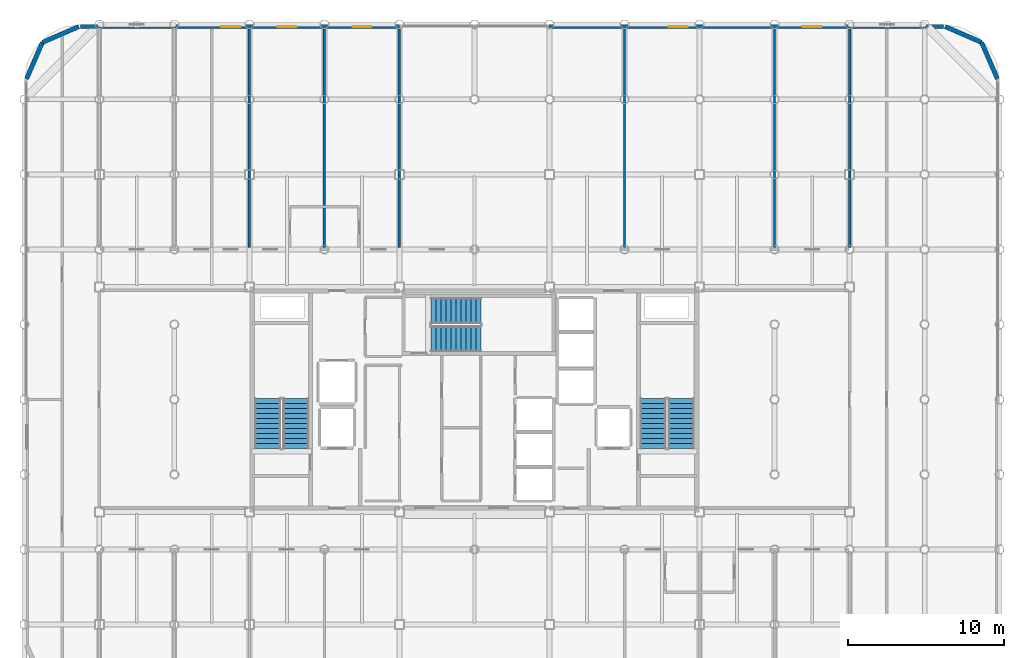
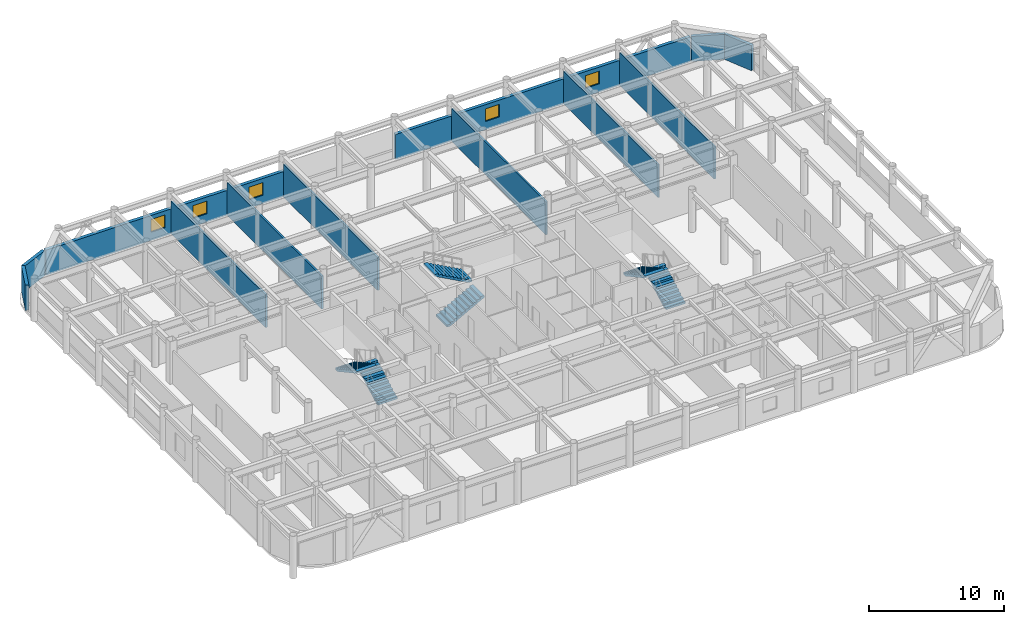
# One storey, part 21 of 22: 12 walls, 6 stair flights, 5 windows, 5 openings, 3 elements without a shape of their own.
"""IFC4 building model written with IfcOpenShell, lengths in metres."""

from ifc_helpers import new_model, si_unit, direction, frame, frame_2d, origin, place, context, subcontext, project, spatial, polyline, rectangle, outline, extrude, material, layer, layer_set, type_object, element, fill, aggregate, save


model = new_model("IFC4")

# Units and contexts
model_context = context("Model", 3, precision=1e-05, world=origin(), true_north=direction((0.0, 1.0)))
body_context = subcontext(model_context, "Body", "Model", "MODEL_VIEW")
ifc_project = project(units=[si_unit("LENGTHUNIT", "METRE"), si_unit("AREAUNIT", "SQUARE_METRE"), si_unit("VOLUMEUNIT", "CUBIC_METRE"), si_unit("PLANEANGLEUNIT", "RADIAN"), si_unit("MASSUNIT", "GRAM", prefix="KILO")], contexts=[model_context])

# Site, building, storey
site_placement = place(None, origin())
site = spatial("IfcSite", under=ifc_project, at=site_placement, CompositionType="ELEMENT")
building_placement = place(site_placement, origin())
building = spatial("IfcBuilding", under=site, at=building_placement, Name="Kallvorn Hotel Tower", CompositionType="ELEMENT")
storey_placement = place(building_placement, frame((0.0, 0.0, 230.0)))
storey = spatial("IfcBuildingStorey", under=building, at=storey_placement, Name="L57", CompositionType="ELEMENT", Elevation=230.0)

# Walls
ifc_material_1 = material(Name="Fire-rated double-layer acoustic gypsum drywall EI 60")
ifc_layer_1 = layer(ifc_material_1, 0.159912109375)
ifc_layer_set_1 = layer_set([ifc_layer_1], Name="WL_DEMISE_160")
wall_type_1 = type_object("IfcWallType", Name="WL_DEMISE_160", PredefinedType="PARTITIONING", material=ifc_layer_set_1)
for number, where, z_axis, x_axis, name in (
    (1, (-14.39990234375, 9.719970703125, 0.0), (0.0, 0.0, 1.0), (0.0, 1.0, 0.0), "L57 Suite 5703 Standard Twin Room Partition"),
    (2, (-9.60009765625, 9.719970703125, 0.0), (0.0, 0.0, 1.0), (0.0, 1.0, 0.0), "L57 Suite 5703 Standard Twin Room Partition"),
    (3, (-4.800048828125, 9.719970703125, 0.0), (0.0, 0.0, 1.0), (0.0, 1.0, 0.0), "L57 Suite 5704 Standard Twin Room Partition"),
):
    element("IfcWall", number, at=place(storey_placement, frame(where, z_axis=z_axis, x_axis=x_axis)), inside=storey, type_object=wall_type_1, Name=name, PredefinedType="PARTITIONING", context=body_context, shape_type="SweptSolid", body=[
        extrude(rectangle(XDim=13.989990234375, YDim=0.159912109375, at=frame_2d((6.9951171875, 0.0))), origin(), (0.0, 0.0, 1.0), 2.969970703125),
    ])
ifc_material_2 = material(Name="Precast basalt-clad insulated concrete wall C40/50", Category="masonry")
ifc_layer_2 = layer(ifc_material_2, 0.280029296875)
ifc_layer_set_2 = layer_set([ifc_layer_2], Name="WL_EXT_LOGGIA_280")
wall_type_2 = type_object("IfcWallType", Name="WL_EXT_LOGGIA_280", PredefinedType="SOLIDWALL", material=ifc_layer_set_2)
wall_1_placement = place(storey_placement, frame((33.4580078125, 20.520751953125, 0.0), z_axis=(0.0, 0.0, 1.0), x_axis=(-0.398792985289, 0.917040977756, 0.0)))
element("IfcWall", 4, at=wall_1_placement, inside=storey, type_object=wall_type_2, Name="L57 Rounded Corner Exterior Wall NE1", PredefinedType="SOLIDWALL", context=body_context, shape_type="SweptSolid", body=[
    extrude(rectangle(XDim=2.536376953125, YDim=0.280029296875, at=frame_2d((1.26806640625, 0.0))), origin(), (0.0, 0.0, 1.0), 2.27001953125),
])
for number, where, z_axis, x_axis, name in (
    (5, (32.446533203125, 22.8466796875, 0.0), (0.0, 0.0, 1.0), (-0.917060872934, 0.398747232384, 0.0), "L57 Rounded Corner Exterior Wall NE2"),
    (6, (-25.32080078125, 23.85791015625, 0.0), (0.0, 0.0, 1.0), (-0.917060872934, -0.398747232384, 0.0), "L57 Rounded Corner Exterior Wall NW1"),
):
    element("IfcWall", number, at=place(storey_placement, frame(where, z_axis=z_axis, x_axis=x_axis)), inside=storey, type_object=wall_type_2, Name=name, PredefinedType="SOLIDWALL", context=body_context, shape_type="SweptSolid", body=[
        extrude(rectangle(XDim=2.5361328125, YDim=0.280029296875, at=frame_2d((1.26806640625, 0.0))), origin(), (0.0, 0.0, 1.0), 2.27001953125),
    ])
wall_2_placement = place(storey_placement, frame((-27.646484375, 22.8466796875, 0.0), z_axis=(0.0, 0.0, 1.0), x_axis=(-0.398792985289, -0.917040977756, 0.0)))
element("IfcWall", 7, at=wall_2_placement, inside=storey, type_object=wall_type_2, Name="L57 Rounded Corner Exterior Wall NW2", PredefinedType="SOLIDWALL", context=body_context, shape_type="SweptSolid", body=[
    extrude(rectangle(XDim=2.536376953125, YDim=0.280029296875, at=frame_2d((1.26806640625, 0.0))), origin(), (0.0, 0.0, 1.0), 2.27001953125),
])

# Wall, openings, windows
wall_3_placement = place(storey_placement, frame((-25.199951171875, 23.860107421875, 0.0), z_axis=(0.0, 0.0, 1.0), x_axis=(1.0, 0.0, 0.0)))
wall_3 = element("IfcWall", 8, at=wall_3_placement, inside=storey, type_object=wall_type_2, Name="L57 Exterior Envelope Wall EW-L57-NW", PredefinedType="SOLIDWALL", context=body_context, shape_type="SweptSolid", body=[
    extrude(rectangle(XDim=20.449951171875, YDim=0.280029296875, at=frame_2d((10.22509765625, 0.0))), origin(), (0.0, 0.0, 1.0), 2.27001953125),
])
opening_1_placement = place(wall_3_placement, frame((9.0, 0.0, 0.75)))
opening_1 = element("IfcOpeningElement", 9, at=opening_1_placement, cuts=wall_3, Name="Opening W06A", PredefinedType="OPENING", context=body_context, shape_type="SweptSolid", body=[
    extrude(rectangle(XDim=1.199951171875, YDim=1.14990234375, at=frame_2d((0.60009765625, 0.574951171875))), frame((0.0, 0.155029296875, 0.0), z_axis=(0.0, -1.0, 0.0), x_axis=(1.0, 0.0, 0.0)), (0.0, 0.0, 1.0), 0.31005859375),
])
opening_2_placement = place(wall_3_placement, frame((12.60009765625, 0.0, 0.75)))
opening_2 = element("IfcOpeningElement", 10, at=opening_2_placement, cuts=wall_3, Name="Opening W06A", PredefinedType="OPENING", context=body_context, shape_type="SweptSolid", body=[
    extrude(rectangle(XDim=1.199951171875, YDim=1.14990234375, at=frame_2d((0.60009765625, 0.574951171875))), frame((0.0, 0.155029296875, 0.0), z_axis=(0.0, -1.0, 0.0), x_axis=(1.0, 0.0, 0.0)), (0.0, 0.0, 1.0), 0.31005859375),
])
opening_3_placement = place(wall_3_placement, frame((17.39990234375, 0.0, 0.75)))
opening_3 = element("IfcOpeningElement", 11, at=opening_3_placement, cuts=wall_3, Name="Opening W06A", PredefinedType="OPENING", context=body_context, shape_type="SweptSolid", body=[
    extrude(rectangle(XDim=1.199951171875, YDim=1.14990234375, at=frame_2d((0.60009765625, 0.574951171875))), frame((0.0, 0.155029296875, 0.0), z_axis=(0.0, -1.0, 0.0), x_axis=(1.0, 0.0, 0.0)), (0.0, 0.0, 1.0), 0.31005859375),
])
ifc_material_3 = material(Name="Triple-glazed low-e acoustic solar-control dark glass", Category="glass")
window_type = type_object("IfcWindowType", Name="WN_HTL_1200x1150", PartitioningType="SINGLE_PANEL", PredefinedType="WINDOW", material=ifc_material_3)
window_1_placement = place(opening_1_placement, origin())
window_1 = element("IfcWindow", 12, at=window_1_placement, inside=storey, type_object=window_type, Name="L57 Guestroom Exterior Window 08", OverallHeight=1.14990234375, OverallWidth=1.199951171875, PartitioningType="SINGLE_PANEL", PredefinedType="WINDOW", context=body_context, shape_type="SweptSolid", body=[
    extrude(rectangle(XDim=1.199951171875, YDim=1.14990234375, at=frame_2d((0.60009765625, 0.574951171875))), frame((0.0, 0.030029296875, 0.0), z_axis=(0.0, -1.0, 0.0), x_axis=(1.0, 0.0, 0.0)), (0.0, 0.0, 1.0), 0.06005859375),
])
fill(opening_1, window_1)
window_2_placement = place(opening_2_placement, origin())
window_2 = element("IfcWindow", 13, at=window_2_placement, inside=storey, type_object=window_type, Name="L57 Guestroom Exterior Window 09", OverallHeight=1.14990234375, OverallWidth=1.199951171875, PartitioningType="SINGLE_PANEL", PredefinedType="WINDOW", context=body_context, shape_type="SweptSolid", body=[
    extrude(rectangle(XDim=1.199951171875, YDim=1.14990234375, at=frame_2d((0.60009765625, 0.574951171875))), frame((0.0, 0.030029296875, 0.0), z_axis=(0.0, -1.0, 0.0), x_axis=(1.0, 0.0, 0.0)), (0.0, 0.0, 1.0), 0.06005859375),
])
fill(opening_2, window_2)
window_3_placement = place(opening_3_placement, origin())
window_3 = element("IfcWindow", 14, at=window_3_placement, inside=storey, type_object=window_type, Name="L57 Guestroom Exterior Window 10", OverallHeight=1.14990234375, OverallWidth=1.199951171875, PartitioningType="SINGLE_PANEL", PredefinedType="WINDOW", context=body_context, shape_type="SweptSolid", body=[
    extrude(rectangle(XDim=1.199951171875, YDim=1.14990234375, at=frame_2d((0.60009765625, 0.574951171875))), frame((0.0, 0.030029296875, 0.0), z_axis=(0.0, -1.0, 0.0), x_axis=(1.0, 0.0, 0.0)), (0.0, 0.0, 1.0), 0.06005859375),
])
fill(opening_3, window_3)

wall_4_placement = place(storey_placement, frame((4.75, 23.860107421875, 0.0), z_axis=(0.0, 0.0, 1.0), x_axis=(1.0, 0.0, 0.0)))
wall_4 = element("IfcWall", 15, at=wall_4_placement, inside=storey, type_object=wall_type_2, Name="L57 Exterior Envelope Wall EW-L57-NE", PredefinedType="SOLIDWALL", context=body_context, shape_type="SweptSolid", body=[
    extrude(rectangle(XDim=25.25, YDim=0.280029296875, at=frame_2d((12.625, 0.0))), origin(), (0.0, 0.0, 1.0), 2.27001953125),
])
opening_4_placement = place(wall_4_placement, frame((16.25, 0.0, 0.75)))
opening_4 = element("IfcOpeningElement", 16, at=opening_4_placement, cuts=wall_4, Name="Opening W06A", PredefinedType="OPENING", context=body_context, shape_type="SweptSolid", body=[
    extrude(rectangle(XDim=1.199951171875, YDim=1.14990234375, at=frame_2d((0.60009765625, 0.574951171875))), frame((0.0, 0.155029296875, 0.0), z_axis=(0.0, -1.0, 0.0), x_axis=(1.0, 0.0, 0.0)), (0.0, 0.0, 1.0), 0.31005859375),
])
opening_5_placement = place(wall_4_placement, frame((7.68408203125, 0.0, 0.75)))
opening_5 = element("IfcOpeningElement", 17, at=opening_5_placement, cuts=wall_4, Name="Opening W06A", PredefinedType="OPENING", context=body_context, shape_type="SweptSolid", body=[
    extrude(rectangle(XDim=1.199951171875, YDim=1.14990234375, at=frame_2d((0.60009765625, 0.574951171875))), frame((0.0, 0.155029296875, 0.0), z_axis=(0.0, -1.0, 0.0), x_axis=(1.0, 0.0, 0.0)), (0.0, 0.0, 1.0), 0.31005859375),
])
window_4_placement = place(opening_4_placement, origin())
window_4 = element("IfcWindow", 18, at=window_4_placement, inside=storey, type_object=window_type, Name="L57 Guestroom Exterior Window 02", OverallHeight=1.14990234375, OverallWidth=1.199951171875, PartitioningType="SINGLE_PANEL", PredefinedType="WINDOW", context=body_context, shape_type="SweptSolid", body=[
    extrude(rectangle(XDim=1.199951171875, YDim=1.14990234375, at=frame_2d((0.60009765625, 0.574951171875))), frame((0.0, 0.030029296875, 0.0), z_axis=(0.0, -1.0, 0.0), x_axis=(1.0, 0.0, 0.0)), (0.0, 0.0, 1.0), 0.06005859375),
])
fill(opening_4, window_4)
window_5_placement = place(opening_5_placement, origin())
window_5 = element("IfcWindow", 19, at=window_5_placement, inside=storey, type_object=window_type, Name="L57 Guestroom Exterior Window 11", OverallHeight=1.14990234375, OverallWidth=1.199951171875, PartitioningType="SINGLE_PANEL", PredefinedType="WINDOW", context=body_context, shape_type="SweptSolid", body=[
    extrude(rectangle(XDim=1.199951171875, YDim=1.14990234375, at=frame_2d((0.60009765625, 0.574951171875))), frame((0.0, 0.030029296875, 0.0), z_axis=(0.0, -1.0, 0.0), x_axis=(1.0, 0.0, 0.0)), (0.0, 0.0, 1.0), 0.06005859375),
])
fill(opening_5, window_5)

# Walls
ifc_material_4 = material(Name="Fire-rated double-layer acoustic gypsum drywall EI 60")
ifc_layer_3 = layer(ifc_material_4, 0.14990234375)
ifc_layer_set_3 = layer_set([ifc_layer_3], Name="WL_PART_150")
wall_type_3 = type_object("IfcWallType", Name="WL_PART_150", PredefinedType="PARTITIONING", material=ifc_layer_set_3)
for number, where, z_axis, x_axis, name in (
    (20, (9.60009765625, 9.719970703125, 0.0), (0.0, 0.0, 1.0), (0.0, 1.0, 0.0), "L57 L57 Andean Tasting Sky Restaurant 5 Partition"),
    (21, (19.199951171875, 9.719970703125, 0.0), (0.0, 0.0, 1.0), (0.0, 1.0, 0.0), "L57 L57 Andean Tasting Sky Restaurant 5 Partition"),
    (22, (24.0, 9.719970703125, 0.0), (0.0, 0.0, 1.0), (0.0, 1.0, 0.0), "L57 L57 High-Zone North-East Pastry Bar Partition"),
):
    element("IfcWall", number, at=place(storey_placement, frame(where, z_axis=z_axis, x_axis=x_axis)), inside=storey, type_object=wall_type_3, Name=name, PredefinedType="PARTITIONING", context=body_context, shape_type="SweptSolid", body=[
        extrude(rectangle(XDim=13.989990234375, YDim=0.14990234375, at=frame_2d((6.9951171875, 0.0))), origin(), (0.0, 0.0, 1.0), 2.969970703125),
    ])

# Stair, stair flights
ifc_material_5 = material(Name="Precast concrete C40/50", Category="concrete")
stair_type = type_object("IfcStairType", Name="STR_CORE_DOGLEG", PredefinedType="HALF_TURN_STAIR", material=ifc_material_5)
stair_1_placement = place(storey_placement, origin())
stair_1 = element("IfcStair", 23, at=stair_1_placement, inside=storey, type_object=stair_type, Name="L57 Exit stair ST1", PredefinedType="HALF_TURN_STAIR")
ifc_material_6 = material(Name="Precast concrete C40/50", Category="concrete")
stair_flight_type = type_object("IfcStairFlightType", Name="FLT_CORE_1660", PredefinedType="STRAIGHT", material=ifc_material_6)
stair_flight_1_placement = place(storey_placement, frame((-11.429931640625, -3.139892578125, 0.0), z_axis=(0.0, 0.0, 1.0), x_axis=(0.0, 1.0, 0.0)))
stair_flight_1 = element("IfcStairFlight", 24, at=stair_flight_1_placement, type_object=stair_flight_type, Name="ST1 flight 1", NumberOfRisers=11, NumberOfTreads=10, PredefinedType="STRAIGHT", RiserHeight=0.175, TreadLength=0.32, context=body_context, shape_type="SweptSolid", body=[
    extrude(outline(polyline([(0.0, 0.0), (0.0, 0.175048828125), (0.320068359375, 0.175048828125), (0.320068359375, 0.35009765625), (0.639892578125, 0.35009765625), (0.639892578125, 0.52490234375), (0.9599609375, 0.52490234375), (0.9599609375, 0.699951171875), (1.280029296875, 0.699951171875), (1.280029296875, 0.875), (1.60009765625, 0.875), (1.60009765625, 1.050048828125), (1.919921875, 1.050048828125), (1.919921875, 1.22509765625), (2.239990234375, 1.22509765625), (2.239990234375, 1.39990234375), (2.56005859375, 1.39990234375), (2.56005859375, 1.574951171875), (2.8798828125, 1.574951171875), (2.8798828125, 1.75), (3.199951171875, 1.75), (3.199951171875, 1.925048828125), (3.199951171875, 1.5791015625), (0.3125, 0.0), (0.0, 0.0)])), frame((0.0, 0.830078125, 0.0), z_axis=(0.0, -1.0, 0.0), x_axis=(1.0, 0.0, 0.0)), (0.0, 0.0, 1.0), 1.659912109375),
])
stair_flight_2_placement = place(storey_placement, frame((-13.22998046875, 0.06005859375, 1.925048828125), z_axis=(0.0, 0.0, 1.0), x_axis=(0.0, -1.0, 0.0)))
stair_flight_2 = element("IfcStairFlight", 25, at=stair_flight_2_placement, type_object=stair_flight_type, Name="ST1 flight 2", NumberOfRisers=11, NumberOfTreads=10, PredefinedType="STRAIGHT", RiserHeight=0.175, TreadLength=0.32, context=body_context, shape_type="SweptSolid", body=[
    extrude(outline(polyline([(0.0, 0.0), (0.0, 0.175048828125), (0.320068359375, 0.175048828125), (0.320068359375, 0.35009765625), (0.639892578125, 0.35009765625), (0.639892578125, 0.52490234375), (0.9599609375, 0.52490234375), (0.9599609375, 0.699951171875), (1.280029296875, 0.699951171875), (1.280029296875, 0.875), (1.60009765625, 0.875), (1.60009765625, 1.050048828125), (1.919921875, 1.050048828125), (1.919921875, 1.22509765625), (2.239990234375, 1.22509765625), (2.239990234375, 1.39990234375), (2.56005859375, 1.39990234375), (2.56005859375, 1.574951171875), (2.8798828125, 1.574951171875), (2.8798828125, 1.75), (3.199951171875, 1.75), (3.199951171875, 1.925048828125), (3.199951171875, 1.5791015625), (0.3125, 0.0), (0.0, 0.0)])), frame((0.0, 0.830078125, 0.0), z_axis=(0.0, -1.0, 0.0), x_axis=(1.0, 0.0, 0.0)), (0.0, 0.0, 1.0), 1.659912109375),
])
aggregate(stair_1, [stair_flight_1, stair_flight_2])

stair_2_placement = place(storey_placement, origin())
stair_2 = element("IfcStair", 26, at=stair_2_placement, inside=storey, type_object=stair_type, Name="L57 Exit stair ST2", PredefinedType="HALF_TURN_STAIR")
stair_flight_3_placement = place(storey_placement, frame((13.22998046875, -3.139892578125, 0.0), z_axis=(0.0, 0.0, 1.0), x_axis=(0.0, 1.0, 0.0)))
stair_flight_3 = element("IfcStairFlight", 27, at=stair_flight_3_placement, type_object=stair_flight_type, Name="ST2 flight 1", NumberOfRisers=11, NumberOfTreads=10, PredefinedType="STRAIGHT", RiserHeight=0.175, TreadLength=0.32, context=body_context, shape_type="SweptSolid", body=[
    extrude(outline(polyline([(0.0, 0.0), (0.0, 0.175048828125), (0.320068359375, 0.175048828125), (0.320068359375, 0.35009765625), (0.639892578125, 0.35009765625), (0.639892578125, 0.52490234375), (0.9599609375, 0.52490234375), (0.9599609375, 0.699951171875), (1.280029296875, 0.699951171875), (1.280029296875, 0.875), (1.60009765625, 0.875), (1.60009765625, 1.050048828125), (1.919921875, 1.050048828125), (1.919921875, 1.22509765625), (2.239990234375, 1.22509765625), (2.239990234375, 1.39990234375), (2.56005859375, 1.39990234375), (2.56005859375, 1.574951171875), (2.8798828125, 1.574951171875), (2.8798828125, 1.75), (3.199951171875, 1.75), (3.199951171875, 1.925048828125), (3.199951171875, 1.5791015625), (0.3125, 0.0), (0.0, 0.0)])), frame((0.0, 0.830078125, 0.0), z_axis=(0.0, -1.0, 0.0), x_axis=(1.0, 0.0, 0.0)), (0.0, 0.0, 1.0), 1.659912109375),
])
stair_flight_4_placement = place(storey_placement, frame((11.429931640625, 0.06005859375, 1.925048828125), z_axis=(0.0, 0.0, 1.0), x_axis=(0.0, -1.0, 0.0)))
stair_flight_4 = element("IfcStairFlight", 28, at=stair_flight_4_placement, type_object=stair_flight_type, Name="ST2 flight 2", NumberOfRisers=11, NumberOfTreads=10, PredefinedType="STRAIGHT", RiserHeight=0.175, TreadLength=0.32, context=body_context, shape_type="SweptSolid", body=[
    extrude(outline(polyline([(0.0, 0.0), (0.0, 0.175048828125), (0.320068359375, 0.175048828125), (0.320068359375, 0.35009765625), (0.639892578125, 0.35009765625), (0.639892578125, 0.52490234375), (0.9599609375, 0.52490234375), (0.9599609375, 0.699951171875), (1.280029296875, 0.699951171875), (1.280029296875, 0.875), (1.60009765625, 0.875), (1.60009765625, 1.050048828125), (1.919921875, 1.050048828125), (1.919921875, 1.22509765625), (2.239990234375, 1.22509765625), (2.239990234375, 1.39990234375), (2.56005859375, 1.39990234375), (2.56005859375, 1.574951171875), (2.8798828125, 1.574951171875), (2.8798828125, 1.75), (3.199951171875, 1.75), (3.199951171875, 1.925048828125), (3.199951171875, 1.5791015625), (0.3125, 0.0), (0.0, 0.0)])), frame((0.0, 0.830078125, 0.0), z_axis=(0.0, -1.0, 0.0), x_axis=(1.0, 0.0, 0.0)), (0.0, 0.0, 1.0), 1.659912109375),
])
aggregate(stair_2, [stair_flight_3, stair_flight_4])

stair_3_placement = place(storey_placement, origin())
stair_3 = element("IfcStair", 29, at=stair_3_placement, inside=storey, type_object=stair_type, Name="L57 Exit stair ST3", PredefinedType="HALF_TURN_STAIR")
stair_flight_5_placement = place(storey_placement, frame((-2.7900390625, 3.8798828125, 0.0), z_axis=(0.0, 0.0, 1.0), x_axis=(1.0, 0.0, 0.0)))
stair_flight_5 = element("IfcStairFlight", 30, at=stair_flight_5_placement, type_object=stair_flight_type, Name="ST3 flight 1", NumberOfRisers=11, NumberOfTreads=10, PredefinedType="STRAIGHT", RiserHeight=0.175, TreadLength=0.32, context=body_context, shape_type="SweptSolid", body=[
    extrude(outline(polyline([(0.0, 0.0), (0.0, 0.175048828125), (0.320068359375, 0.175048828125), (0.320068359375, 0.35009765625), (0.639892578125, 0.35009765625), (0.639892578125, 0.52490234375), (0.9599609375, 0.52490234375), (0.9599609375, 0.699951171875), (1.280029296875, 0.699951171875), (1.280029296875, 0.875), (1.60009765625, 0.875), (1.60009765625, 1.050048828125), (1.919921875, 1.050048828125), (1.919921875, 1.22509765625), (2.239990234375, 1.22509765625), (2.239990234375, 1.39990234375), (2.56005859375, 1.39990234375), (2.56005859375, 1.574951171875), (2.8798828125, 1.574951171875), (2.8798828125, 1.75), (3.199951171875, 1.75), (3.199951171875, 1.925048828125), (3.199951171875, 1.5791015625), (0.3125, 0.0), (0.0, 0.0)])), frame((0.0, 0.830078125, 0.0), z_axis=(0.0, -1.0, 0.0), x_axis=(1.0, 0.0, 0.0)), (0.0, 0.0, 1.0), 1.659912109375),
])
stair_flight_6_placement = place(storey_placement, frame((0.409912109375, 5.679931640625, 1.925048828125), z_axis=(0.0, 0.0, 1.0), x_axis=(-1.0, 0.0, 0.0)))
stair_flight_6 = element("IfcStairFlight", 31, at=stair_flight_6_placement, type_object=stair_flight_type, Name="ST3 flight 2", NumberOfRisers=11, NumberOfTreads=10, PredefinedType="STRAIGHT", RiserHeight=0.175, TreadLength=0.32, context=body_context, shape_type="SweptSolid", body=[
    extrude(outline(polyline([(0.0, 0.0), (0.0, 0.175048828125), (0.320068359375, 0.175048828125), (0.320068359375, 0.35009765625), (0.639892578125, 0.35009765625), (0.639892578125, 0.52490234375), (0.9599609375, 0.52490234375), (0.9599609375, 0.699951171875), (1.280029296875, 0.699951171875), (1.280029296875, 0.875), (1.60009765625, 0.875), (1.60009765625, 1.050048828125), (1.919921875, 1.050048828125), (1.919921875, 1.22509765625), (2.239990234375, 1.22509765625), (2.239990234375, 1.39990234375), (2.56005859375, 1.39990234375), (2.56005859375, 1.574951171875), (2.8798828125, 1.574951171875), (2.8798828125, 1.75), (3.199951171875, 1.75), (3.199951171875, 1.925048828125), (3.199951171875, 1.5791015625), (0.3125, 0.0), (0.0, 0.0)])), frame((0.0, 0.830078125, 0.0), z_axis=(0.0, -1.0, 0.0), x_axis=(1.0, 0.0, 0.0)), (0.0, 0.0, 1.0), 1.659912109375),
])
aggregate(stair_3, [stair_flight_5, stair_flight_6])

save(model, "model.ifc")
